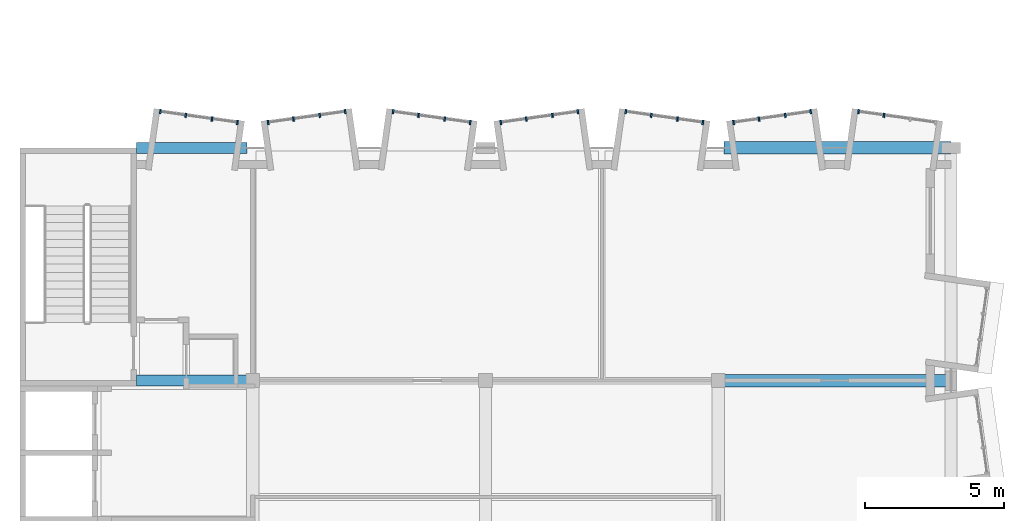
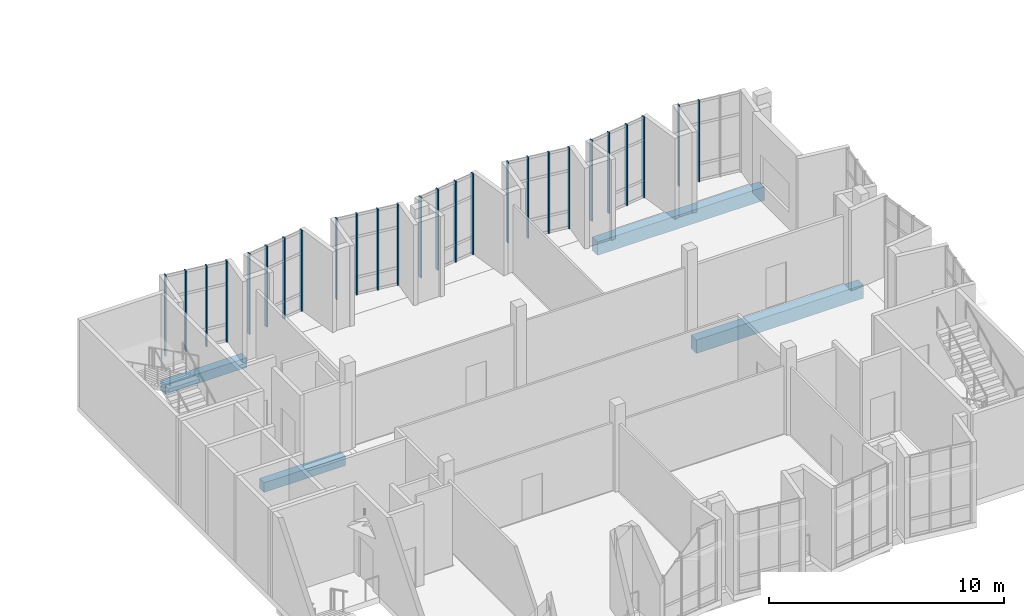
# One storey, part 3 of 18: 26 members, 4 beams, 7 elements without a shape of their own.
"""IFC4 building model written with IfcOpenShell, lengths in metres."""

from ifc_helpers import new_model, si_unit, direction, frame, origin, origin_2d, place, context, subcontext, project, spatial, rectangle, extrude, material, layer, layer_set, material_profile, profile_set, type_object, element, aggregate, save


model = new_model("IFC4")

# Units and contexts
model_context = context("Model", 3, precision=1e-05, world=origin(), true_north=direction((0.0, 1.0)))
body_context = subcontext(model_context, "Body", "Model", "MODEL_VIEW")
ifc_project = project(units=[si_unit("LENGTHUNIT", "METRE"), si_unit("AREAUNIT", "SQUARE_METRE"), si_unit("VOLUMEUNIT", "CUBIC_METRE"), si_unit("PLANEANGLEUNIT", "RADIAN"), si_unit("MASSUNIT", "GRAM", prefix="KILO")], contexts=[model_context])

# Site, building, storey
site_placement = place(None, origin())
site = spatial("IfcSite", under=ifc_project, at=site_placement, CompositionType="ELEMENT")
building_placement = place(site_placement, origin())
building = spatial("IfcBuilding", under=site, at=building_placement, Name="Kiln Court Media Centre", CompositionType="ELEMENT")
storey_placement = place(building_placement, frame((0.0, 0.0, 33.60009765625)))
storey = spatial("IfcBuildingStorey", under=building, at=storey_placement, Name="L07", CompositionType="ELEMENT", Elevation=33.60009765625)

# Curtain wall, members
ifc_material_1 = material(Name="Aluminium 6063-T6", Category="aluminium")
ifc_layer = layer(ifc_material_1, 0.1201171875)
ifc_layer_set = layer_set([ifc_layer], Name="Aluminium unitised bay curtain wall")
curtain_wall_type = type_object("IfcCurtainWallType", Name="Aluminium unitised bay curtain wall", PredefinedType="USERDEFINED", material=ifc_layer_set)
curtain_wall_1_placement = place(storey_placement, origin())
curtain_wall_1 = element("IfcCurtainWall", 1, at=curtain_wall_1_placement, inside=storey, type_object=curtain_wall_type, Name="BAY V6A-N-L07-45 front", ObjectType="UNITISED CURTAIN WALL", PredefinedType="USERDEFINED")
ifc_material_2 = material(Name="Aluminium 6063-T6", Category="aluminium")
ifc_material_profile_1 = material_profile(ifc_material_2, rectangle(XDim=0.06005859375, YDim=0.159912109375, at=origin_2d()), Name="Aluminium mullion 60x160")
ifc_profile_set_1 = profile_set([ifc_material_profile_1], Name="Aluminium 6063-T6")
member_type = type_object("IfcMemberType", Name="Aluminium mullion 60x160", PredefinedType="MULLION", material=ifc_profile_set_1)
member_1_placement = place(storey_placement, frame((5.064453125, 26.504638671875, 0.0), z_axis=(0.0, 0.0, 1.0), x_axis=(0.990269562409, -0.139162472554, 0.0)))
member_1 = element("IfcMember", 2, at=member_1_placement, type_object=member_type, Name="CW7-04 mullion 1", PredefinedType="MULLION", context=body_context, shape_type="SweptSolid", body=[
    extrude(rectangle(XDim=0.06005859375, YDim=0.159912109375, at=origin_2d()), origin(), (0.0, 0.0, 1.0), 4.199951171875),
])
member_2_placement = place(storey_placement, frame((5.982177734375, 26.375732421875, 0.0), z_axis=(0.0, 0.0, 1.0), x_axis=(0.990269562409, -0.139162472554, 0.0)))
member_2 = element("IfcMember", 3, at=member_2_placement, type_object=member_type, Name="CW7-04 mullion 2", PredefinedType="MULLION", context=body_context, shape_type="SweptSolid", body=[
    extrude(rectangle(XDim=0.06005859375, YDim=0.159912109375, at=origin_2d()), origin(), (0.0, 0.0, 1.0), 4.199951171875),
])
member_3_placement = place(storey_placement, frame((6.929443359375, 26.242431640625, 0.0), z_axis=(0.0, 0.0, 1.0), x_axis=(0.990269562409, -0.139162472554, 0.0)))
member_3 = element("IfcMember", 4, at=member_3_placement, type_object=member_type, Name="CW7-04 mullion 3", PredefinedType="MULLION", context=body_context, shape_type="SweptSolid", body=[
    extrude(rectangle(XDim=0.06005859375, YDim=0.159912109375, at=origin_2d()), origin(), (0.0, 0.0, 1.0), 4.199951171875),
])
member_4_placement = place(storey_placement, frame((7.84716796875, 26.113525390625, 0.0), z_axis=(0.0, 0.0, 1.0), x_axis=(0.990269562409, -0.139162472554, 0.0)))
member_4 = element("IfcMember", 5, at=member_4_placement, type_object=member_type, Name="CW7-04 mullion 4", PredefinedType="MULLION", context=body_context, shape_type="SweptSolid", body=[
    extrude(rectangle(XDim=0.06005859375, YDim=0.159912109375, at=origin_2d()), origin(), (0.0, 0.0, 1.0), 4.199951171875),
])
aggregate(curtain_wall_1, [member_1, member_2, member_3, member_4])

curtain_wall_2_placement = place(storey_placement, origin())
curtain_wall_2 = element("IfcCurtainWall", 6, at=curtain_wall_2_placement, inside=storey, type_object=curtain_wall_type, Name="BAY V6A-N-L07-46 front", ObjectType="UNITISED CURTAIN WALL", PredefinedType="USERDEFINED")
member_5_placement = place(storey_placement, frame((8.952880859375, 26.113525390625, 0.0), z_axis=(0.0, 0.0, 1.0), x_axis=(0.990269562409, 0.139162472554, 0.0)))
member_5 = element("IfcMember", 7, at=member_5_placement, type_object=member_type, Name="CW7-05 mullion 1", PredefinedType="MULLION", context=body_context, shape_type="SweptSolid", body=[
    extrude(rectangle(XDim=0.06005859375, YDim=0.159912109375, at=origin_2d()), origin(), (0.0, 0.0, 1.0), 4.199951171875),
])
member_6_placement = place(storey_placement, frame((9.870361328125, 26.242431640625, 0.0), z_axis=(0.0, 0.0, 1.0), x_axis=(0.990269562409, 0.139162472554, 0.0)))
member_6 = element("IfcMember", 8, at=member_6_placement, type_object=member_type, Name="CW7-05 mullion 2", PredefinedType="MULLION", context=body_context, shape_type="SweptSolid", body=[
    extrude(rectangle(XDim=0.06005859375, YDim=0.159912109375, at=origin_2d()), origin(), (0.0, 0.0, 1.0), 4.199951171875),
])
member_7_placement = place(storey_placement, frame((10.81787109375, 26.375732421875, 0.0), z_axis=(0.0, 0.0, 1.0), x_axis=(0.990269562409, 0.139162472554, 0.0)))
member_7 = element("IfcMember", 9, at=member_7_placement, type_object=member_type, Name="CW7-05 mullion 3", PredefinedType="MULLION", context=body_context, shape_type="SweptSolid", body=[
    extrude(rectangle(XDim=0.06005859375, YDim=0.159912109375, at=origin_2d()), origin(), (0.0, 0.0, 1.0), 4.199951171875),
])
member_8_placement = place(storey_placement, frame((11.735595703125, 26.504638671875, 0.0), z_axis=(0.0, 0.0, 1.0), x_axis=(0.990269562409, 0.139162472554, 0.0)))
member_8 = element("IfcMember", 10, at=member_8_placement, type_object=member_type, Name="CW7-05 mullion 4", PredefinedType="MULLION", context=body_context, shape_type="SweptSolid", body=[
    extrude(rectangle(XDim=0.06005859375, YDim=0.159912109375, at=origin_2d()), origin(), (0.0, 0.0, 1.0), 4.199951171875),
])
aggregate(curtain_wall_2, [member_5, member_6, member_7, member_8])

curtain_wall_3_placement = place(storey_placement, origin())
curtain_wall_3 = element("IfcCurtainWall", 11, at=curtain_wall_3_placement, inside=storey, type_object=curtain_wall_type, Name="BAY V6A-N-L07-47 front", ObjectType="UNITISED CURTAIN WALL", PredefinedType="USERDEFINED")
member_9_placement = place(storey_placement, frame((13.464599609375, 26.504638671875, 0.0), z_axis=(0.0, 0.0, 1.0), x_axis=(0.990269562409, -0.139162472554, 0.0)))
member_9 = element("IfcMember", 12, at=member_9_placement, type_object=member_type, Name="CW7-06 mullion 1", PredefinedType="MULLION", context=body_context, shape_type="SweptSolid", body=[
    extrude(rectangle(XDim=0.06005859375, YDim=0.159912109375, at=origin_2d()), origin(), (0.0, 0.0, 1.0), 4.199951171875),
])
member_10_placement = place(storey_placement, frame((14.382080078125, 26.375732421875, 0.0), z_axis=(0.0, 0.0, 1.0), x_axis=(0.990269562409, -0.139162472554, 0.0)))
member_10 = element("IfcMember", 13, at=member_10_placement, type_object=member_type, Name="CW7-06 mullion 2", PredefinedType="MULLION", context=body_context, shape_type="SweptSolid", body=[
    extrude(rectangle(XDim=0.06005859375, YDim=0.159912109375, at=origin_2d()), origin(), (0.0, 0.0, 1.0), 4.199951171875),
])
member_11_placement = place(storey_placement, frame((15.32958984375, 26.242431640625, 0.0), z_axis=(0.0, 0.0, 1.0), x_axis=(0.990269562409, -0.139162472554, 0.0)))
member_11 = element("IfcMember", 14, at=member_11_placement, type_object=member_type, Name="CW7-06 mullion 3", PredefinedType="MULLION", context=body_context, shape_type="SweptSolid", body=[
    extrude(rectangle(XDim=0.06005859375, YDim=0.159912109375, at=origin_2d()), origin(), (0.0, 0.0, 1.0), 4.199951171875),
])
member_12_placement = place(storey_placement, frame((16.2470703125, 26.113525390625, 0.0), z_axis=(0.0, 0.0, 1.0), x_axis=(0.990269562409, -0.139162472554, 0.0)))
member_12 = element("IfcMember", 15, at=member_12_placement, type_object=member_type, Name="CW7-06 mullion 4", PredefinedType="MULLION", context=body_context, shape_type="SweptSolid", body=[
    extrude(rectangle(XDim=0.06005859375, YDim=0.159912109375, at=origin_2d()), origin(), (0.0, 0.0, 1.0), 4.199951171875),
])
aggregate(curtain_wall_3, [member_9, member_10, member_11, member_12])

curtain_wall_4_placement = place(storey_placement, origin())
curtain_wall_4 = element("IfcCurtainWall", 16, at=curtain_wall_4_placement, inside=storey, type_object=curtain_wall_type, Name="BAY V6A-N-L07-48 front", ObjectType="UNITISED CURTAIN WALL", PredefinedType="USERDEFINED")
member_13_placement = place(storey_placement, frame((17.352783203125, 26.113525390625, 0.0), z_axis=(0.0, 0.0, 1.0), x_axis=(0.990269562409, 0.139162472554, 0.0)))
member_13 = element("IfcMember", 17, at=member_13_placement, type_object=member_type, Name="CW7-07 mullion 1", PredefinedType="MULLION", context=body_context, shape_type="SweptSolid", body=[
    extrude(rectangle(XDim=0.06005859375, YDim=0.159912109375, at=origin_2d()), origin(), (0.0, 0.0, 1.0), 4.199951171875),
])
member_14_placement = place(storey_placement, frame((18.2705078125, 26.242431640625, 0.0), z_axis=(0.0, 0.0, 1.0), x_axis=(0.990269562409, 0.139162472554, 0.0)))
member_14 = element("IfcMember", 18, at=member_14_placement, type_object=member_type, Name="CW7-07 mullion 2", PredefinedType="MULLION", context=body_context, shape_type="SweptSolid", body=[
    extrude(rectangle(XDim=0.06005859375, YDim=0.159912109375, at=origin_2d()), origin(), (0.0, 0.0, 1.0), 4.199951171875),
])
member_15_placement = place(storey_placement, frame((19.2177734375, 26.375732421875, 0.0), z_axis=(0.0, 0.0, 1.0), x_axis=(0.990269562409, 0.139162472554, 0.0)))
member_15 = element("IfcMember", 19, at=member_15_placement, type_object=member_type, Name="CW7-07 mullion 3", PredefinedType="MULLION", context=body_context, shape_type="SweptSolid", body=[
    extrude(rectangle(XDim=0.06005859375, YDim=0.159912109375, at=origin_2d()), origin(), (0.0, 0.0, 1.0), 4.199951171875),
])
member_16_placement = place(storey_placement, frame((20.135498046875, 26.504638671875, 0.0), z_axis=(0.0, 0.0, 1.0), x_axis=(0.990269562409, 0.139162472554, 0.0)))
member_16 = element("IfcMember", 20, at=member_16_placement, type_object=member_type, Name="CW7-07 mullion 4", PredefinedType="MULLION", context=body_context, shape_type="SweptSolid", body=[
    extrude(rectangle(XDim=0.06005859375, YDim=0.159912109375, at=origin_2d()), origin(), (0.0, 0.0, 1.0), 4.199951171875),
])
aggregate(curtain_wall_4, [member_13, member_14, member_15, member_16])

curtain_wall_5_placement = place(storey_placement, origin())
curtain_wall_5 = element("IfcCurtainWall", 21, at=curtain_wall_5_placement, inside=storey, type_object=curtain_wall_type, Name="BAY V6A-N-L07-49 front", ObjectType="UNITISED CURTAIN WALL", PredefinedType="USERDEFINED")
member_17_placement = place(storey_placement, frame((21.864501953125, 26.504638671875, 0.0), z_axis=(0.0, 0.0, 1.0), x_axis=(0.990269562409, -0.139162472554, 0.0)))
member_17 = element("IfcMember", 22, at=member_17_placement, type_object=member_type, Name="CW7-08 mullion 1", PredefinedType="MULLION", context=body_context, shape_type="SweptSolid", body=[
    extrude(rectangle(XDim=0.06005859375, YDim=0.159912109375, at=origin_2d()), origin(), (0.0, 0.0, 1.0), 4.199951171875),
])
member_18_placement = place(storey_placement, frame((22.7822265625, 26.375732421875, 0.0), z_axis=(0.0, 0.0, 1.0), x_axis=(0.990269562409, -0.139162472554, 0.0)))
member_18 = element("IfcMember", 23, at=member_18_placement, type_object=member_type, Name="CW7-08 mullion 2", PredefinedType="MULLION", context=body_context, shape_type="SweptSolid", body=[
    extrude(rectangle(XDim=0.06005859375, YDim=0.159912109375, at=origin_2d()), origin(), (0.0, 0.0, 1.0), 4.199951171875),
])
member_19_placement = place(storey_placement, frame((23.7294921875, 26.242431640625, 0.0), z_axis=(0.0, 0.0, 1.0), x_axis=(0.990269562409, -0.139162472554, 0.0)))
member_19 = element("IfcMember", 24, at=member_19_placement, type_object=member_type, Name="CW7-08 mullion 3", PredefinedType="MULLION", context=body_context, shape_type="SweptSolid", body=[
    extrude(rectangle(XDim=0.06005859375, YDim=0.159912109375, at=origin_2d()), origin(), (0.0, 0.0, 1.0), 4.199951171875),
])
member_20_placement = place(storey_placement, frame((24.647216796875, 26.113525390625, 0.0), z_axis=(0.0, 0.0, 1.0), x_axis=(0.990269562409, -0.139162472554, 0.0)))
member_20 = element("IfcMember", 25, at=member_20_placement, type_object=member_type, Name="CW7-08 mullion 4", PredefinedType="MULLION", context=body_context, shape_type="SweptSolid", body=[
    extrude(rectangle(XDim=0.06005859375, YDim=0.159912109375, at=origin_2d()), origin(), (0.0, 0.0, 1.0), 4.199951171875),
])
aggregate(curtain_wall_5, [member_17, member_18, member_19, member_20])

curtain_wall_6_placement = place(storey_placement, origin())
curtain_wall_6 = element("IfcCurtainWall", 26, at=curtain_wall_6_placement, inside=storey, type_object=curtain_wall_type, Name="BAY V6A-N-L07-50 front", ObjectType="UNITISED CURTAIN WALL", PredefinedType="USERDEFINED")
member_21_placement = place(storey_placement, frame((25.7529296875, 26.113525390625, 0.0), z_axis=(0.0, 0.0, 1.0), x_axis=(0.990269562409, 0.139162472554, 0.0)))
member_21 = element("IfcMember", 27, at=member_21_placement, type_object=member_type, Name="CW7-09 mullion 1", PredefinedType="MULLION", context=body_context, shape_type="SweptSolid", body=[
    extrude(rectangle(XDim=0.06005859375, YDim=0.159912109375, at=origin_2d()), origin(), (0.0, 0.0, 1.0), 4.199951171875),
])
member_22_placement = place(storey_placement, frame((26.67041015625, 26.242431640625, 0.0), z_axis=(0.0, 0.0, 1.0), x_axis=(0.990269562409, 0.139162472554, 0.0)))
member_22 = element("IfcMember", 28, at=member_22_placement, type_object=member_type, Name="CW7-09 mullion 2", PredefinedType="MULLION", context=body_context, shape_type="SweptSolid", body=[
    extrude(rectangle(XDim=0.06005859375, YDim=0.159912109375, at=origin_2d()), origin(), (0.0, 0.0, 1.0), 4.199951171875),
])
member_23_placement = place(storey_placement, frame((27.617919921875, 26.375732421875, 0.0), z_axis=(0.0, 0.0, 1.0), x_axis=(0.990269562409, 0.139162472554, 0.0)))
member_23 = element("IfcMember", 29, at=member_23_placement, type_object=member_type, Name="CW7-09 mullion 3", PredefinedType="MULLION", context=body_context, shape_type="SweptSolid", body=[
    extrude(rectangle(XDim=0.06005859375, YDim=0.159912109375, at=origin_2d()), origin(), (0.0, 0.0, 1.0), 4.199951171875),
])
member_24_placement = place(storey_placement, frame((28.535400390625, 26.504638671875, 0.0), z_axis=(0.0, 0.0, 1.0), x_axis=(0.990269562409, 0.139162472554, 0.0)))
member_24 = element("IfcMember", 30, at=member_24_placement, type_object=member_type, Name="CW7-09 mullion 4", PredefinedType="MULLION", context=body_context, shape_type="SweptSolid", body=[
    extrude(rectangle(XDim=0.06005859375, YDim=0.159912109375, at=origin_2d()), origin(), (0.0, 0.0, 1.0), 4.199951171875),
])
aggregate(curtain_wall_6, [member_21, member_22, member_23, member_24])

curtain_wall_7_placement = place(storey_placement, origin())
curtain_wall_7 = element("IfcCurtainWall", 31, at=curtain_wall_7_placement, inside=storey, type_object=curtain_wall_type, Name="BAY V6A-N-L07-51 front", ObjectType="UNITISED CURTAIN WALL", PredefinedType="USERDEFINED")
member_25_placement = place(storey_placement, frame((30.264404296875, 26.504638671875, 0.0), z_axis=(0.0, 0.0, 1.0), x_axis=(0.990269562409, -0.139162472554, 0.0)))
member_25 = element("IfcMember", 32, at=member_25_placement, type_object=member_type, Name="CW7-10 mullion 1", PredefinedType="MULLION", context=body_context, shape_type="SweptSolid", body=[
    extrude(rectangle(XDim=0.06005859375, YDim=0.159912109375, at=origin_2d()), origin(), (0.0, 0.0, 1.0), 4.199951171875),
])
member_26_placement = place(storey_placement, frame((31.18212890625, 26.375732421875, 0.0), z_axis=(0.0, 0.0, 1.0), x_axis=(0.990269562409, -0.139162472554, 0.0)))
member_26 = element("IfcMember", 33, at=member_26_placement, type_object=member_type, Name="CW7-10 mullion 2", PredefinedType="MULLION", context=body_context, shape_type="SweptSolid", body=[
    extrude(rectangle(XDim=0.06005859375, YDim=0.159912109375, at=origin_2d()), origin(), (0.0, 0.0, 1.0), 4.199951171875),
])
aggregate(curtain_wall_7, [member_25, member_26])

# Beams
ifc_material_3 = material(Name="Concrete C30/37", Category="concrete")
ifc_material_profile_2 = material_profile(ifc_material_3, rectangle(XDim=0.39990234375, YDim=0.5, at=origin_2d()), Name="RC 400x500")
ifc_profile_set_2 = profile_set([ifc_material_profile_2], Name="Concrete C30/37")
beam_type_1 = type_object("IfcBeamType", Name="Concrete C30/37 beam 400x500", PredefinedType="BEAM", material=ifc_profile_set_2)
for number, where, z_axis, x_axis, name in (
    (34, (4.199951171875, 16.800048828125, -0.550048828125), (1.0, 0.0, 0.0), (0.0, 1.0, 0.0), "L07-B-1017"),
    (35, (4.199951171875, 25.199951171875, -0.550048828125), (1.0, 0.0, 0.0), (0.0, 1.0, 0.0), "L07-B-1019"),
):
    element("IfcBeam", number, at=place(storey_placement, frame(where, z_axis=z_axis, x_axis=x_axis)), inside=storey, type_object=beam_type_1, Name=name, PredefinedType="BEAM", context=body_context, shape_type="SweptSolid", body=[
        extrude(rectangle(XDim=0.39990234375, YDim=0.5, at=origin_2d()), origin(), (0.0, 0.0, 1.0), 4.0),
    ])
ifc_material_4 = material(Name="Concrete C30/37", Category="concrete")
ifc_material_profile_3 = material_profile(ifc_material_4, rectangle(XDim=0.449951171875, YDim=0.699951171875, at=origin_2d()), Name="RC 450x700")
ifc_profile_set_3 = profile_set([ifc_material_profile_3], Name="Concrete C30/37")
beam_type_2 = type_object("IfcBeamType", Name="Concrete C30/37 beam 450x700", PredefinedType="BEAM", material=ifc_profile_set_3)
for number, where, z_axis, x_axis, name in (
    (36, (25.39990234375, 16.800048828125, -0.650146484375), (1.0, 0.0, 0.0), (0.0, 1.0, 0.0), "L07-B-1018"),
    (37, (25.39990234375, 25.199951171875, -0.650146484375), (1.0, 0.0, 0.0), (0.0, 1.0, 0.0), "L07-B-1020"),
):
    element("IfcBeam", number, at=place(storey_placement, frame(where, z_axis=z_axis, x_axis=x_axis)), inside=storey, type_object=beam_type_2, Name=name, PredefinedType="BEAM", context=body_context, shape_type="SweptSolid", body=[
        extrude(rectangle(XDim=0.449951171875, YDim=0.699951171875, at=origin_2d()), origin(), (0.0, 0.0, 1.0), 8.2001953125),
    ])

save(model, "model.ifc")
